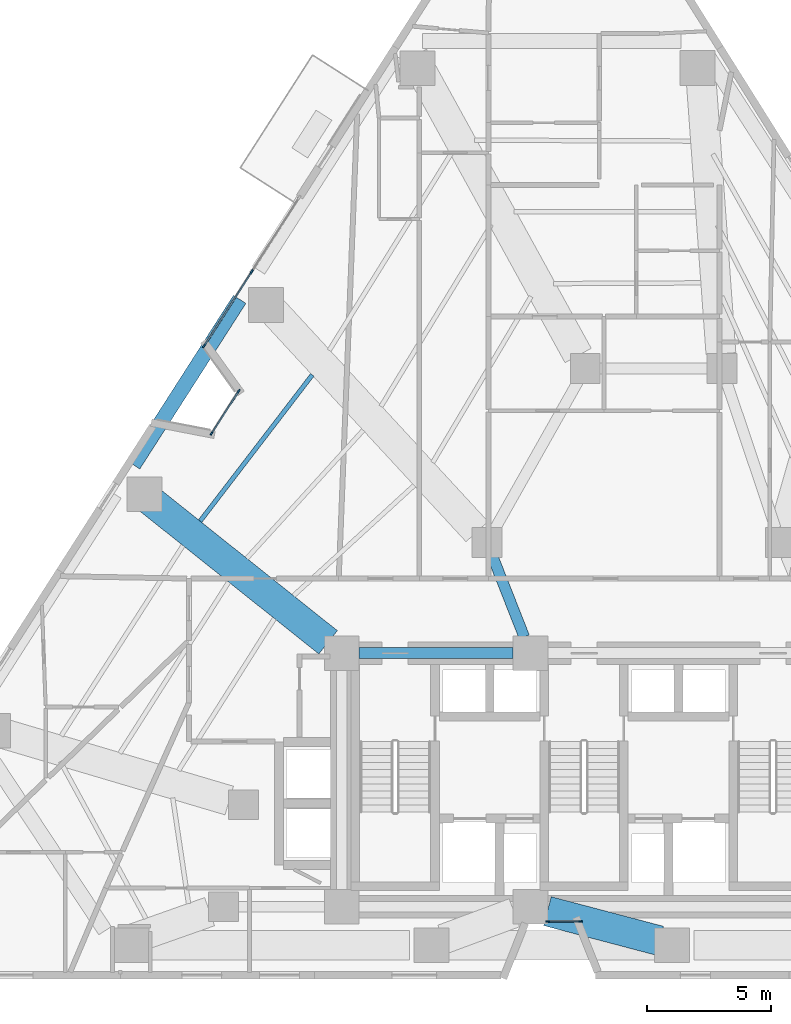
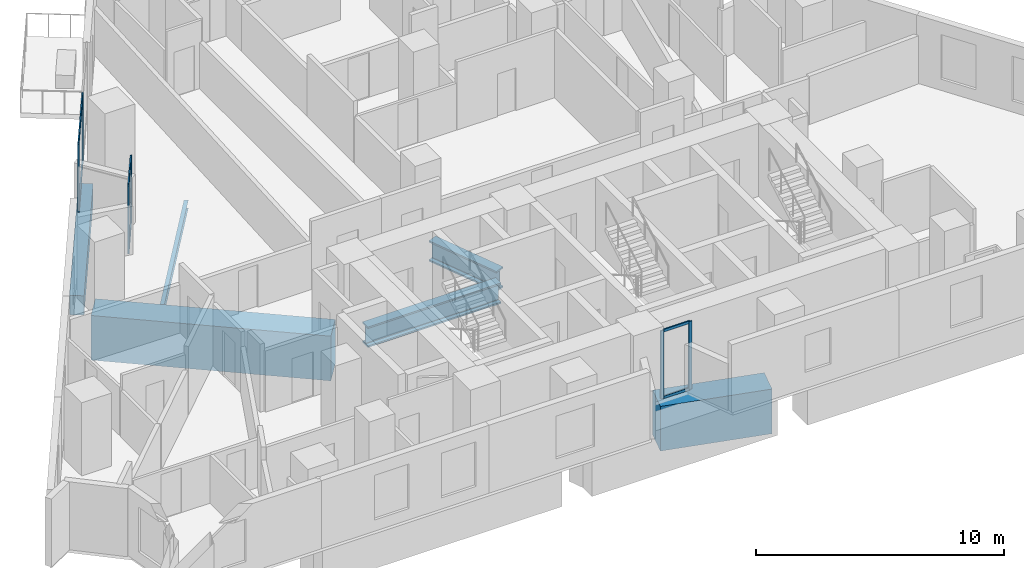
# One storey, part 2 of 13: 12 members, 6 beams, 3 elements without a shape of their own.
"""IFC4 building model written with IfcOpenShell, lengths in metres."""

import ifcopenshell
import ifcopenshell.guid

model = None  # the IFC model being written
_history = None  # IfcOwnerHistory: only IFC2X3 demands one
_inside = {}  # id of a spatial element -> (the spatial element, [elements in it])
_under = {}  # id of a project, library or spatial element -> (it, [spatial elements below it])
_declared = {}  # id of a project -> (the project, [libraries it declares])
_typed = {}  # id of a type object -> (the type object, [elements of that type])
_made_of = {}  # id of a material, layer set ... -> (it, [elements and type objects made of it])


def new_model(schema):
    """Start an empty IFC model of exactly this schema.

    Asked for "IFC4X3", IfcOpenShell would pick the latest addendum, in which some entities
    have other attributes; the version numbers below select the first issue.
    IFC2X3 requires an IfcOwnerHistory on every rooted entity: one is made here for all.
    """
    global model, _history
    if schema == "IFC4X3":
        model = ifcopenshell.file(schema_version=(4, 3, 0, 0))
    else:
        model = ifcopenshell.file(schema=schema)
    _inside.clear()
    _under.clear()
    _declared.clear()
    _typed.clear()
    _made_of.clear()
    _history = None
    if model.schema == "IFC2X3":
        org = make("IfcOrganization", Name="unknown")
        user = make(
            "IfcPersonAndOrganization",
            ThePerson=make("IfcPerson", FamilyName="unknown"),
            TheOrganization=org,
        )
        app = make(
            "IfcApplication",
            ApplicationDeveloper=org,
            Version="unknown",
            ApplicationFullName="unknown",
            ApplicationIdentifier="unknown",
        )
        _history = make(
            "IfcOwnerHistory",
            OwningUser=user,
            OwningApplication=app,
            ChangeAction="ADDED",
            CreationDate=0,
        )
    return model


def make(cls, **values):
    """One entity of the class cls with the attributes given. An attribute that is None is left unset."""
    return model.create_entity(
        cls, **{name: value for name, value in values.items() if value is not None}
    )


def rooted(cls, **values):
    """An entity with a GlobalId (a new one), such as an element, a storey or a relation."""
    return make(cls, GlobalId=ifcopenshell.guid.new(), OwnerHistory=_history, **values)


def si_unit(unit_type, name, prefix=None):
    """IfcSIUnit, for example si_unit("LENGTHUNIT", "METRE", prefix="MILLI")."""
    return make("IfcSIUnit", UnitType=unit_type, Prefix=prefix, Name=name)


def assignment(units):
    """IfcUnitAssignment: the units of a project."""
    return None if units is None else make("IfcUnitAssignment", Units=units)


def point(xyz):
    """IfcCartesianPoint."""
    return None if xyz is None else make("IfcCartesianPoint", Coordinates=xyz)


def direction(xyz):
    """IfcDirection."""
    return None if xyz is None else make("IfcDirection", DirectionRatios=xyz)


def frame(location, z_axis=None, x_axis=None):
    """IfcAxis2Placement3D, a coordinate frame: its origin and axes. An axis left out is left unset."""
    return make(
        "IfcAxis2Placement3D",
        Location=point(location),
        Axis=direction(z_axis),
        RefDirection=direction(x_axis),
    )


def frame_2d(location, x_axis=None):
    """IfcAxis2Placement2D, a coordinate frame in the plane: its origin and x axis."""
    return make(
        "IfcAxis2Placement2D", Location=point(location), RefDirection=direction(x_axis)
    )


def origin():
    """The frame at (0, 0, 0) with its axes left unset."""
    return frame((0.0, 0.0, 0.0))


def origin_2d():
    """The frame at (0, 0) in the plane with its x axis left unset."""
    return frame_2d((0.0, 0.0))


def place(relative_to, where):
    """IfcLocalPlacement: puts the frame where relative to a parent placement (None: the world)."""
    return make(
        "IfcLocalPlacement", PlacementRelTo=relative_to, RelativePlacement=where
    )


def context(
    kind, dimensions, precision=None, world=None, true_north=None, identifier=None
):
    """IfcGeometricRepresentationContext, for example the 3D "Model" context."""
    return make(
        "IfcGeometricRepresentationContext",
        ContextIdentifier=identifier,
        ContextType=kind,
        CoordinateSpaceDimension=dimensions,
        Precision=precision,
        WorldCoordinateSystem=world,
        TrueNorth=true_north,
    )


def subcontext(parent, identifier, kind, view, scale=None):
    """IfcGeometricRepresentationSubContext, for example "Body" below "Model"."""
    return make(
        "IfcGeometricRepresentationSubContext",
        ContextIdentifier=identifier,
        ContextType=kind,
        ParentContext=parent,
        TargetScale=scale,
        TargetView=view,
    )


def project(units=None, contexts=None):
    """IfcProject with its units and contexts."""
    return rooted(
        "IfcProject",
        Name="project",
        RepresentationContexts=contexts,
        UnitsInContext=assignment(units),
    )


def spatial(cls, under=None, at=None, **own):
    """A site, building, storey or space (cls), placed at a placement, below another one or the project."""
    s = rooted(cls, ObjectPlacement=at, **own)
    if under is not None:
        _under.setdefault(under.id(), (under, []))[1].append(s)
    return s


def profile(cls, at=None, kind="AREA", **sizes):
    """A parametric profile (cls). Its sizes go by their IFC names, for example OverallWidth=200.0."""
    return make(cls, ProfileType=kind, Position=at, **sizes)


def rectangle(**sizes):
    """IfcRectangleProfileDef."""
    return profile("IfcRectangleProfileDef", **sizes)


def i_section(**sizes):
    """IfcIShapeProfileDef."""
    return profile("IfcIShapeProfileDef", **sizes)


def extrude(swept, where, along, depth):
    """IfcExtrudedAreaSolid: the profile swept, set in the frame where, extruded along a direction by depth."""
    return make(
        "IfcExtrudedAreaSolid",
        SweptArea=swept,
        Position=where,
        ExtrudedDirection=direction(along),
        Depth=depth,
    )


def shape(context_of_items, identifier, shape_type, items):
    """IfcShapeRepresentation: the items that make up one representation, for example the "Body"."""
    return make(
        "IfcShapeRepresentation",
        ContextOfItems=context_of_items,
        RepresentationIdentifier=identifier,
        RepresentationType=shape_type,
        Items=items,
    )


def material(Name=None, Category=None):
    """IfcMaterial."""
    return make("IfcMaterial", Name=Name, Category=Category)


def layer(
    of_material, thickness, ventilated=None, Name=None, Category=None, Priority=None
):
    """IfcMaterialLayer: one layer of a wall or slab, of a material (None: an air gap)."""
    return make(
        "IfcMaterialLayer",
        Material=of_material,
        LayerThickness=thickness,
        IsVentilated=ventilated,
        Name=Name,
        Category=Category,
        Priority=Priority,
    )


def layer_set(layers, Name=None):
    """IfcMaterialLayerSet."""
    return make("IfcMaterialLayerSet", MaterialLayers=layers, LayerSetName=Name)


def material_profile(
    of_material, cross_section, Name=None, Category=None, Priority=None
):
    """IfcMaterialProfile: a cross section and its material."""
    return make(
        "IfcMaterialProfile",
        Name=Name,
        Material=of_material,
        Profile=cross_section,
        Priority=Priority,
        Category=Category,
    )


def profile_set(profiles, Name=None, composite=None):
    """IfcMaterialProfileSet."""
    return make(
        "IfcMaterialProfileSet",
        Name=Name,
        MaterialProfiles=profiles,
        CompositeProfile=composite,
    )


def made_of(thing, what):
    """Note that an element or type object is made of a material, layer set ...; save() writes the relation."""
    if what is not None:
        _made_of.setdefault(what.id(), (what, []))[1].append(thing)
    return thing


def type_object(cls, material=None, **own):
    """A type object (cls), such as IfcWallType, which elements share."""
    return made_of(rooted(cls, **own), material)


def element(
    cls,
    number,
    at=None,
    inside=None,
    cuts=None,
    type_object=None,
    material=None,
    context=None,
    identifier="Body",
    shape_type=None,
    held_by="IfcProductDefinitionShape",
    body=None,
    shapes=None,
    **own,
):
    """One element of the class cls, such as IfcWall. Its Tag is "e" and its number.

    at: its placement. inside: the storey or other place that contains it. cuts: it is an
    opening in that element (IfcRelVoidsElement). A single representation is given by context,
    identifier, shape_type and body (its items); several are given by shapes. held_by: the class
    of the entity that holds the representations. save() writes the other relations.
    """
    e = rooted(cls, Tag="e%d" % number, ObjectPlacement=at, **own)
    if body is not None:
        shapes = [shape(context, identifier, shape_type, body)]
    if shapes is not None:
        e.Representation = make(held_by, Representations=shapes)
    if inside is not None:
        _inside.setdefault(inside.id(), (inside, []))[1].append(e)
    if cuts is not None:
        rooted(
            "IfcRelVoidsElement", RelatingBuildingElement=cuts, RelatedOpeningElement=e
        )
    if type_object is not None:
        _typed.setdefault(type_object.id(), (type_object, []))[1].append(e)
    return made_of(e, material)


def aggregate(whole, parts):
    """IfcRelAggregates: a whole, such as a stair, and the parts it consists of."""
    return rooted("IfcRelAggregates", RelatingObject=whole, RelatedObjects=parts)


def save(model, path):
    """Write the relations noted so far, then the file.

    IfcRelAggregates (storeys below a building ...), IfcRelContainedInSpatialStructure (elements
    in a storey), IfcRelDefinesByType, IfcRelAssociatesMaterial and IfcRelDeclares: one each for
    every whole, place, type object, material and project.
    """
    for whole, parts in _under.values():
        aggregate(whole, parts)
    for where, things in _inside.values():
        rooted(
            "IfcRelContainedInSpatialStructure",
            RelatedElements=things,
            RelatingStructure=where,
        )
    for kind, things in _typed.values():
        rooted("IfcRelDefinesByType", RelatedObjects=things, RelatingType=kind)
    for what, things in _made_of.values():
        rooted("IfcRelAssociatesMaterial", RelatedObjects=things, RelatingMaterial=what)
    for by, libraries in _declared.values():
        rooted("IfcRelDeclares", RelatingContext=by, RelatedDefinitions=libraries)
    model.write(path)


model = new_model("IFC4")

# Units and contexts
model_context = context("Model", 3, precision=1e-05, world=origin(), true_north=direction((0.0, 1.0)))
body_context = subcontext(model_context, "Body", "Model", "MODEL_VIEW")
ifc_project = project(units=[si_unit("LENGTHUNIT", "METRE"), si_unit("AREAUNIT", "SQUARE_METRE"), si_unit("VOLUMEUNIT", "CUBIC_METRE"), si_unit("PLANEANGLEUNIT", "RADIAN"), si_unit("MASSUNIT", "GRAM", prefix="KILO")], contexts=[model_context])

# Site, building, storey
site_placement = place(None, origin())
site = spatial("IfcSite", under=ifc_project, at=site_placement, CompositionType="ELEMENT")
building_placement = place(site_placement, origin())
building = spatial("IfcBuilding", under=site, at=building_placement, Name="Almagre Mirador Tower", CompositionType="ELEMENT")
storey_placement = place(building_placement, frame((0.0, 0.0, 53.39990234375)))
storey = spatial("IfcBuildingStorey", under=building, at=storey_placement, Name="L12", CompositionType="ELEMENT", Elevation=53.39990234375)

# Beams
ifc_material_1 = material(Name="Steel ASTM A992 Grade 50", Category="steel")
ifc_material_profile_1 = material_profile(ifc_material_1, i_section(OverallWidth=0.178955078125, OverallDepth=0.408935546875, WebThickness=0.0087890625, FlangeThickness=0.014404296875, FilletRadius=0.013916015625, at=origin_2d()), Name="W16X45")
ifc_profile_set_1 = profile_set([ifc_material_profile_1], Name="Steel ASTM A992 Grade 50")
beam_type_1 = type_object("IfcBeamType", Name="BM-JST-W16X45", PredefinedType="JOIST", material=ifc_profile_set_1)
beam_1_placement = place(storey_placement, frame((26.36669921875, 25.945556640625, -0.454345703125), z_axis=(-0.608542136621, -0.793521561117, 0.0), x_axis=(0.793521561117, -0.608542136621, 0.0)))
element("IfcBeam", 1, at=beam_1_placement, inside=storey, type_object=beam_type_1, Name="L12 secondary floor joist PC10-PC11.1", PredefinedType="JOIST", context=body_context, shape_type="SweptSolid", body=[
    extrude(i_section(OverallWidth=0.178955078125, OverallDepth=0.408935546875, WebThickness=0.0087890625, FlangeThickness=0.014404296875, FilletRadius=0.013916015625, at=origin_2d()), origin(), (0.0, 0.0, 1.0), 7.414794921875),
])
ifc_material_2 = material(Name="Precast concrete C50/60", Category="concrete")
ifc_material_profile_2 = material_profile(ifc_material_2, rectangle(XDim=0.60009765625, YDim=0.949951171875, at=origin_2d()), Name="RC600X950")
ifc_profile_set_2 = profile_set([ifc_material_profile_2], Name="Precast concrete C50/60")
beam_type_2 = type_object("IfcBeamType", Name="BM-SPN-RC600X950", PredefinedType="SPANDREL", material=ifc_profile_set_2)
beam_2_placement = place(storey_placement, frame((23.4443359375, 28.983642578125, -0.724853515625), z_axis=(-0.539540486584, -0.841959656597, 0.0), x_axis=(0.841959656597, -0.539540486584, 0.0)))
element("IfcBeam", 2, at=beam_2_placement, inside=storey, type_object=beam_type_2, Name="L12 perimeter spandrel beam PC10-PC11", PredefinedType="SPANDREL", context=body_context, shape_type="SweptSolid", body=[
    extrude(rectangle(XDim=0.60009765625, YDim=0.949951171875, at=origin_2d()), origin(), (0.0, 0.0, 1.0), 7.911376953125),
])
ifc_material_3 = material(Name="Steel ASTM A992 Grade 50", Category="steel")
ifc_material_profile_3 = material_profile(ifc_material_3, i_section(OverallWidth=0.43701171875, OverallDepth=1.010986328125, WebThickness=0.041015625, FlangeThickness=0.073974609375, FilletRadius=0.028076171875, at=origin_2d()), Name="W36X529")
ifc_profile_set_3 = profile_set([ifc_material_profile_3], Name="Steel ASTM A992 Grade 50")
beam_type_3 = type_object("IfcBeamType", Name="BM-STL-W36X529", PredefinedType="BEAM", material=ifc_profile_set_3)
beam_3_placement = place(storey_placement, frame((28.25, 14.75, -0.75537109375), z_axis=(1.0, 0.0, 0.0), x_axis=(0.0, 1.0, 0.0)))
element("IfcBeam", 3, at=beam_3_placement, inside=storey, type_object=beam_type_3, Name="L12 core tie girder CC4-CC5", PredefinedType="BEAM", context=body_context, shape_type="SweptSolid", body=[
    extrude(i_section(OverallWidth=0.43701171875, OverallDepth=1.010986328125, WebThickness=0.041015625, FlangeThickness=0.073974609375, FilletRadius=0.028076171875, at=origin_2d()), origin(), (0.0, 0.0, 1.0), 6.199951171875),
])
beam_4_placement = place(storey_placement, frame((33.61962890625, 18.6416015625, -0.75537109375), z_axis=(0.365956076985, -0.93063212373, 0.0), x_axis=(0.93063212373, 0.365956076985, 0.0)))
element("IfcBeam", 4, at=beam_4_placement, inside=storey, type_object=beam_type_3, Name="L12 core tie girder MC8-CC5", PredefinedType="BEAM", context=body_context, shape_type="SweptSolid", body=[
    extrude(i_section(OverallWidth=0.43701171875, OverallDepth=1.010986328125, WebThickness=0.041015625, FlangeThickness=0.073974609375, FilletRadius=0.028076171875, at=origin_2d()), origin(), (0.0, 0.0, 1.0), 3.481689453125),
])
ifc_material_4 = material(Name="Concrete C60/75", Category="concrete")
ifc_material_profile_4 = material_profile(ifc_material_4, rectangle(XDim=1.199951171875, YDim=2.199951171875, at=origin_2d()), Name="RC1200X2200")
ifc_profile_set_4 = profile_set([ifc_material_profile_4], Name="Concrete C60/75")
beam_type_4 = type_object("IfcBeamType", Name="BM-XFER-RC1200X2200", PredefinedType="BEAM", material=ifc_profile_set_4)
beam_5_placement = place(storey_placement, frame((40.34716796875, 3.1787109375, -1.349853515625), z_axis=(-0.966911988655, 0.255110184422, 0.0), x_axis=(-0.255110184422, -0.966911988655, 0.0)))
element("IfcBeam", 5, at=beam_5_placement, inside=storey, type_object=beam_type_4, Name="L12 radial transfer girder PC03-CC2", PredefinedType="BEAM", context=body_context, shape_type="SweptSolid", body=[
    extrude(rectangle(XDim=1.199951171875, YDim=2.199951171875, at=origin_2d()), origin(), (0.0, 0.0, 1.0), 4.675048828125),
])
beam_6_placement = place(storey_placement, frame((19.34521484375, 21.29638671875, -1.349853515625), z_axis=(0.78167052396, -0.623691584015, 0.0), x_axis=(0.623691584015, 0.78167052396, 0.0)))
element("IfcBeam", 6, at=beam_6_placement, inside=storey, type_object=beam_type_4, Name="L12 radial transfer girder PC11-CC4", PredefinedType="BEAM", context=body_context, shape_type="SweptSolid", body=[
    extrude(rectangle(XDim=1.199951171875, YDim=2.199951171875, at=origin_2d()), origin(), (0.0, 0.0, 1.0), 9.79638671875),
])

# Curtain wall, members
ifc_material_5 = material(Name="Black anodized aluminium", Category="aluminium")
ifc_layer_1 = layer(ifc_material_5, 0.169921875)
ifc_layer_set_1 = layer_set([ifc_layer_1], Name="Black anodized aluminium")
curtain_wall_type_1 = type_object("IfcCurtainWallType", Name="CW-CRS-SYS", PredefinedType="NOTDEFINED", material=ifc_layer_set_1)
curtain_wall_1_placement = place(storey_placement, origin())
curtain_wall_1 = element("IfcCurtainWall", 7, at=curtain_wall_1_placement, inside=storey, type_object=curtain_wall_type_1, Name="L12 vertical crease curtain wall 01", PredefinedType="NOTDEFINED")
ifc_material_6 = material(Name="Black anodized aluminium", Category="aluminium")
ifc_material_profile_5 = material_profile(ifc_material_6, rectangle(XDim=0.06005859375, YDim=0.14990234375, at=origin_2d()), Name="CWM60X150")
ifc_profile_set_5 = profile_set([ifc_material_profile_5], Name="Black anodized aluminium")
member_type_1 = type_object("IfcMemberType", Name="MBR-CWM60X150", PredefinedType="MULLION", material=ifc_profile_set_5)
member_1_placement = place(storey_placement, frame((22.312255859375, 23.585205078125, 0.0), z_axis=(0.0, 0.0, 1.0), x_axis=(-0.841923718176, 0.539596564827, 0.0)))
member_1 = element("IfcMember", 8, at=member_1_placement, type_object=member_type_1, Name="CW-4 mullion 1", PredefinedType="MULLION", context=body_context, shape_type="SweptSolid", body=[
    extrude(rectangle(XDim=0.06005859375, YDim=0.14990234375, at=origin_2d()), origin(), (0.0, 0.0, 1.0), 3.35009765625),
])
member_2_placement = place(storey_placement, frame((23.40771484375, 25.294677734375, 0.0), z_axis=(0.0, 0.0, 1.0), x_axis=(-0.841923718176, 0.539596564827, 0.0)))
member_2 = element("IfcMember", 9, at=member_2_placement, type_object=member_type_1, Name="CW-4 mullion 2", PredefinedType="MULLION", context=body_context, shape_type="SweptSolid", body=[
    extrude(rectangle(XDim=0.06005859375, YDim=0.14990234375, at=origin_2d()), origin(), (0.0, 0.0, 1.0), 3.35009765625),
])

curtain_wall_2_placement = place(storey_placement, origin())
curtain_wall_2 = element("IfcCurtainWall", 10, at=curtain_wall_2_placement, inside=storey, type_object=curtain_wall_type_1, Name="L12 vertical crease curtain wall 04", PredefinedType="NOTDEFINED")
member_3_placement = place(storey_placement, frame((37.155029296875, 3.949951171875, 0.0), z_axis=(0.0, 0.0, 1.0), x_axis=(0.0, -1.0, 0.0)))
member_3 = element("IfcMember", 11, at=member_3_placement, type_object=member_type_1, Name="CW-4 mullion 1", PredefinedType="MULLION", context=body_context, shape_type="SweptSolid", body=[
    extrude(rectangle(XDim=0.06005859375, YDim=0.14990234375, at=origin_2d()), origin(), (0.0, 0.0, 1.0), 3.35009765625),
])
member_4_placement = place(storey_placement, frame((35.842041015625, 3.949951171875, 0.0), z_axis=(0.0, 0.0, 1.0), x_axis=(0.0, -1.0, 0.0)))
member_4 = element("IfcMember", 12, at=member_4_placement, type_object=member_type_1, Name="CW-4 mullion 2", PredefinedType="MULLION", context=body_context, shape_type="SweptSolid", body=[
    extrude(rectangle(XDim=0.06005859375, YDim=0.14990234375, at=origin_2d()), origin(), (0.0, 0.0, 1.0), 3.35009765625),
])

ifc_material_7 = material(Name="Black anodized aluminium", Category="aluminium")
ifc_layer_2 = layer(ifc_material_7, 0.18994140625)
ifc_layer_set_2 = layer_set([ifc_layer_2], Name="Black anodized aluminium")
curtain_wall_type_2 = type_object("IfcCurtainWallType", Name="CW-RES-L-SYS", PredefinedType="NOTDEFINED", material=ifc_layer_set_2)
curtain_wall_3_placement = place(storey_placement, origin())
curtain_wall_3 = element("IfcCurtainWall", 13, at=curtain_wall_3_placement, inside=storey, type_object=curtain_wall_type_2, Name="L12 curtain wall run 02", PredefinedType="NOTDEFINED")
ifc_material_8 = material(Name="Black anodized aluminium", Category="aluminium")
ifc_material_profile_6 = material_profile(ifc_material_8, rectangle(XDim=0.06494140625, YDim=0.179931640625, at=origin_2d()), Name="CWM65X180")
ifc_profile_set_6 = profile_set([ifc_material_profile_6], Name="Black anodized aluminium")
member_type_2 = type_object("IfcMemberType", Name="MBR-CWM65X180", PredefinedType="MULLION", material=ifc_profile_set_6)
member_5_placement = place(storey_placement, frame((22.01708984375, 27.109375, 0.0), z_axis=(0.0, 0.0, 1.0), x_axis=(-0.841976082788, 0.539514852449, 0.0)))
member_5 = element("IfcMember", 14, at=member_5_placement, type_object=member_type_2, Name="CW-2 mullion 1", PredefinedType="MULLION", context=body_context, shape_type="SweptSolid", body=[
    extrude(rectangle(XDim=0.06494140625, YDim=0.179931640625, at=origin_2d()), origin(), (0.0, 0.0, 1.0), 3.35009765625),
])
member_6_placement = place(storey_placement, frame((23.927978515625, 30.091796875, 0.0), z_axis=(0.0, 0.0, 1.0), x_axis=(-0.841976082788, 0.539514852449, 0.0)))
member_6 = element("IfcMember", 15, at=member_6_placement, type_object=member_type_2, Name="CW-2 mullion 2", PredefinedType="MULLION", context=body_context, shape_type="SweptSolid", body=[
    extrude(rectangle(XDim=0.06494140625, YDim=0.179931640625, at=origin_2d()), origin(), (0.0, 0.0, 1.0), 3.35009765625),
])

# Member
ifc_material_9 = material(Name="Black anodized aluminium", Category="aluminium")
ifc_material_profile_7 = material_profile(ifc_material_9, rectangle(XDim=0.06005859375, YDim=0.1298828125, at=origin_2d()), Name="CWT60X130")
ifc_profile_set_7 = profile_set([ifc_material_profile_7], Name="Black anodized aluminium")
member_type_3 = type_object("IfcMemberType", Name="MBR-CWT60X130", PredefinedType="USERDEFINED", material=ifc_profile_set_7)
member_7_placement = place(storey_placement, frame((22.328369140625, 23.610595703125, 0.030029296875), z_axis=(0.539598560897, 0.841922438873, 0.0), x_axis=(-0.841922438873, 0.539598560897, 0.0)))
member_7 = element("IfcMember", 16, at=member_7_placement, type_object=member_type_3, Name="CW-4 transom 1.1", ObjectType="TRANSOM", PredefinedType="USERDEFINED", context=body_context, shape_type="SweptSolid", body=[
    extrude(rectangle(XDim=0.06005859375, YDim=0.1298828125, at=origin_2d()), origin(), (0.0, 0.0, 1.0), 1.970458984375),
])

member_8_placement = place(storey_placement, frame((22.328369140625, 23.610595703125, 3.320068359375), z_axis=(0.539598560897, 0.841922438873, 0.0), x_axis=(-0.841922438873, 0.539598560897, 0.0)))
member_8 = element("IfcMember", 17, at=member_8_placement, type_object=member_type_3, Name="CW-4 transom 1.2", ObjectType="TRANSOM", PredefinedType="USERDEFINED", context=body_context, shape_type="SweptSolid", body=[
    extrude(rectangle(XDim=0.06005859375, YDim=0.1298828125, at=origin_2d()), origin(), (0.0, 0.0, 1.0), 1.970458984375),
])

aggregate(curtain_wall_1, [member_1, member_2, member_7, member_8])

member_9_placement = place(storey_placement, frame((22.03466796875, 27.13671875, 0.030029296875), z_axis=(0.539458104932, 0.842012442321, 0.0), x_axis=(-0.842012442321, 0.539458104932, 0.0)))
member_9 = element("IfcMember", 18, at=member_9_placement, type_object=member_type_3, Name="CW-2 transom 1.1", ObjectType="TRANSOM", PredefinedType="USERDEFINED", context=body_context, shape_type="SweptSolid", body=[
    extrude(rectangle(XDim=0.06005859375, YDim=0.1298828125, at=origin_2d()), origin(), (0.0, 0.0, 1.0), 3.47705078125),
])

member_10_placement = place(storey_placement, frame((22.03466796875, 27.13671875, 3.320068359375), z_axis=(0.539458104932, 0.842012442321, 0.0), x_axis=(-0.842012442321, 0.539458104932, 0.0)))
member_10 = element("IfcMember", 19, at=member_10_placement, type_object=member_type_3, Name="CW-2 transom 1.2", ObjectType="TRANSOM", PredefinedType="USERDEFINED", context=body_context, shape_type="SweptSolid", body=[
    extrude(rectangle(XDim=0.06005859375, YDim=0.1298828125, at=origin_2d()), origin(), (0.0, 0.0, 1.0), 3.47705078125),
])

aggregate(curtain_wall_3, [member_5, member_6, member_9, member_10])

member_11_placement = place(storey_placement, frame((37.125, 3.949951171875, 0.030029296875), z_axis=(-1.0, 0.0, 0.0), x_axis=(0.0, -1.0, 0.0)))
member_11 = element("IfcMember", 20, at=member_11_placement, type_object=member_type_3, Name="CW-4 transom 1.1", ObjectType="TRANSOM", PredefinedType="USERDEFINED", context=body_context, shape_type="SweptSolid", body=[
    extrude(rectangle(XDim=0.06005859375, YDim=0.1298828125, at=origin_2d()), origin(), (0.0, 0.0, 1.0), 1.2529296875),
])

member_12_placement = place(storey_placement, frame((37.125, 3.949951171875, 3.320068359375), z_axis=(-1.0, 0.0, 0.0), x_axis=(0.0, -1.0, 0.0)))
member_12 = element("IfcMember", 21, at=member_12_placement, type_object=member_type_3, Name="CW-4 transom 1.2", ObjectType="TRANSOM", PredefinedType="USERDEFINED", context=body_context, shape_type="SweptSolid", body=[
    extrude(rectangle(XDim=0.06005859375, YDim=0.1298828125, at=origin_2d()), origin(), (0.0, 0.0, 1.0), 1.2529296875),
])

aggregate(curtain_wall_2, [member_3, member_4, member_11, member_12])

save(model, "model.ifc")
